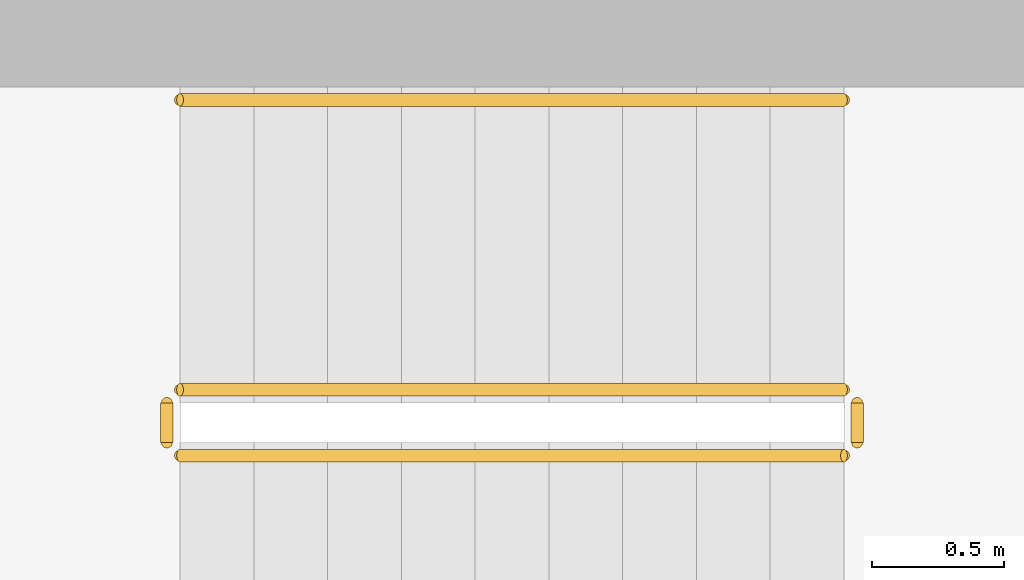
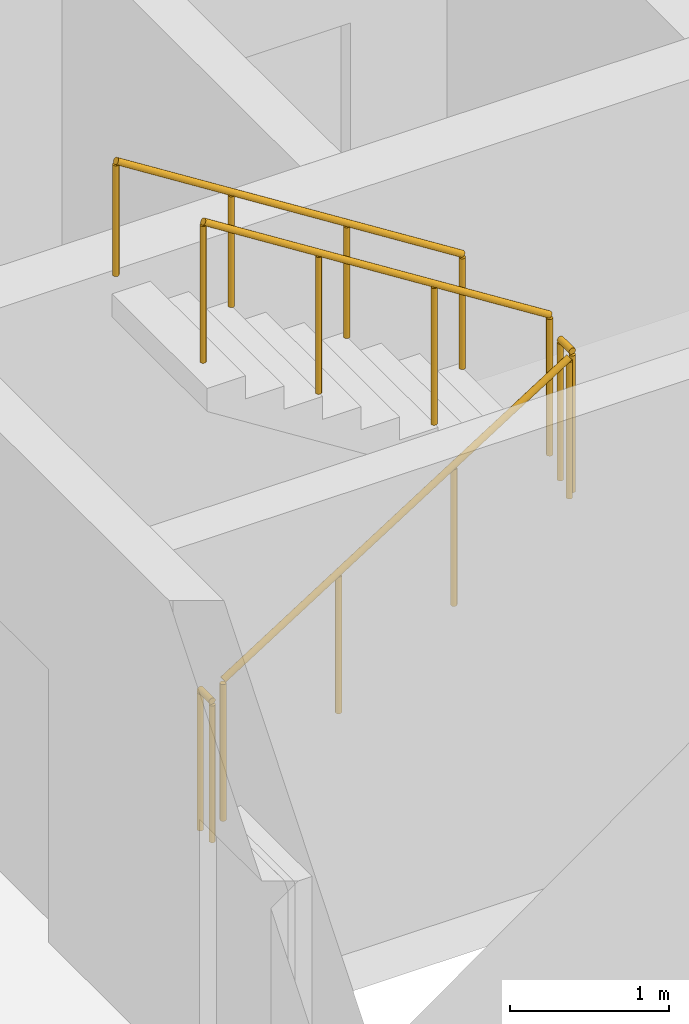
# One storey, part 14 of 16: 5 railings.
"""IFC4 building model written with IfcOpenShell, lengths in metres."""

import ifcopenshell
import ifcopenshell.guid

model = None  # the IFC model being written
_history = None  # IfcOwnerHistory: only IFC2X3 demands one
_inside = {}  # id of a spatial element -> (the spatial element, [elements in it])
_under = {}  # id of a project, library or spatial element -> (it, [spatial elements below it])
_declared = {}  # id of a project -> (the project, [libraries it declares])
_typed = {}  # id of a type object -> (the type object, [elements of that type])
_made_of = {}  # id of a material, layer set ... -> (it, [elements and type objects made of it])


def new_model(schema):
    """Start an empty IFC model of exactly this schema.

    Asked for "IFC4X3", IfcOpenShell would pick the latest addendum, in which some entities
    have other attributes; the version numbers below select the first issue.
    IFC2X3 requires an IfcOwnerHistory on every rooted entity: one is made here for all.
    """
    global model, _history
    if schema == "IFC4X3":
        model = ifcopenshell.file(schema_version=(4, 3, 0, 0))
    else:
        model = ifcopenshell.file(schema=schema)
    _inside.clear()
    _under.clear()
    _declared.clear()
    _typed.clear()
    _made_of.clear()
    _history = None
    if model.schema == "IFC2X3":
        org = make("IfcOrganization", Name="unknown")
        user = make(
            "IfcPersonAndOrganization",
            ThePerson=make("IfcPerson", FamilyName="unknown"),
            TheOrganization=org,
        )
        app = make(
            "IfcApplication",
            ApplicationDeveloper=org,
            Version="unknown",
            ApplicationFullName="unknown",
            ApplicationIdentifier="unknown",
        )
        _history = make(
            "IfcOwnerHistory",
            OwningUser=user,
            OwningApplication=app,
            ChangeAction="ADDED",
            CreationDate=0,
        )
    return model


def make(cls, **values):
    """One entity of the class cls with the attributes given. An attribute that is None is left unset."""
    return model.create_entity(
        cls, **{name: value for name, value in values.items() if value is not None}
    )


def rooted(cls, **values):
    """An entity with a GlobalId (a new one), such as an element, a storey or a relation."""
    return make(cls, GlobalId=ifcopenshell.guid.new(), OwnerHistory=_history, **values)


def si_unit(unit_type, name, prefix=None):
    """IfcSIUnit, for example si_unit("LENGTHUNIT", "METRE", prefix="MILLI")."""
    return make("IfcSIUnit", UnitType=unit_type, Prefix=prefix, Name=name)


def assignment(units):
    """IfcUnitAssignment: the units of a project."""
    return None if units is None else make("IfcUnitAssignment", Units=units)


def point(xyz):
    """IfcCartesianPoint."""
    return None if xyz is None else make("IfcCartesianPoint", Coordinates=xyz)


def direction(xyz):
    """IfcDirection."""
    return None if xyz is None else make("IfcDirection", DirectionRatios=xyz)


def frame(location, z_axis=None, x_axis=None):
    """IfcAxis2Placement3D, a coordinate frame: its origin and axes. An axis left out is left unset."""
    return make(
        "IfcAxis2Placement3D",
        Location=point(location),
        Axis=direction(z_axis),
        RefDirection=direction(x_axis),
    )


def frame_2d(location, x_axis=None):
    """IfcAxis2Placement2D, a coordinate frame in the plane: its origin and x axis."""
    return make(
        "IfcAxis2Placement2D", Location=point(location), RefDirection=direction(x_axis)
    )


def origin():
    """The frame at (0, 0, 0) with its axes left unset."""
    return frame((0.0, 0.0, 0.0))


def origin_2d():
    """The frame at (0, 0) in the plane with its x axis left unset."""
    return frame_2d((0.0, 0.0))


def place(relative_to, where):
    """IfcLocalPlacement: puts the frame where relative to a parent placement (None: the world)."""
    return make(
        "IfcLocalPlacement", PlacementRelTo=relative_to, RelativePlacement=where
    )


def context(
    kind, dimensions, precision=None, world=None, true_north=None, identifier=None
):
    """IfcGeometricRepresentationContext, for example the 3D "Model" context."""
    return make(
        "IfcGeometricRepresentationContext",
        ContextIdentifier=identifier,
        ContextType=kind,
        CoordinateSpaceDimension=dimensions,
        Precision=precision,
        WorldCoordinateSystem=world,
        TrueNorth=true_north,
    )


def subcontext(parent, identifier, kind, view, scale=None):
    """IfcGeometricRepresentationSubContext, for example "Body" below "Model"."""
    return make(
        "IfcGeometricRepresentationSubContext",
        ContextIdentifier=identifier,
        ContextType=kind,
        ParentContext=parent,
        TargetScale=scale,
        TargetView=view,
    )


def project(units=None, contexts=None):
    """IfcProject with its units and contexts."""
    return rooted(
        "IfcProject",
        Name="project",
        RepresentationContexts=contexts,
        UnitsInContext=assignment(units),
    )


def spatial(cls, under=None, at=None, **own):
    """A site, building, storey or space (cls), placed at a placement, below another one or the project."""
    s = rooted(cls, ObjectPlacement=at, **own)
    if under is not None:
        _under.setdefault(under.id(), (under, []))[1].append(s)
    return s


def profile(cls, at=None, kind="AREA", **sizes):
    """A parametric profile (cls). Its sizes go by their IFC names, for example OverallWidth=200.0."""
    return make(cls, ProfileType=kind, Position=at, **sizes)


def circle(**sizes):
    """IfcCircleProfileDef."""
    return profile("IfcCircleProfileDef", **sizes)


def extrude(swept, where, along, depth):
    """IfcExtrudedAreaSolid: the profile swept, set in the frame where, extruded along a direction by depth."""
    return make(
        "IfcExtrudedAreaSolid",
        SweptArea=swept,
        Position=where,
        ExtrudedDirection=direction(along),
        Depth=depth,
    )


def shape(context_of_items, identifier, shape_type, items):
    """IfcShapeRepresentation: the items that make up one representation, for example the "Body"."""
    return make(
        "IfcShapeRepresentation",
        ContextOfItems=context_of_items,
        RepresentationIdentifier=identifier,
        RepresentationType=shape_type,
        Items=items,
    )


def material(Name=None, Category=None):
    """IfcMaterial."""
    return make("IfcMaterial", Name=Name, Category=Category)


def made_of(thing, what):
    """Note that an element or type object is made of a material, layer set ...; save() writes the relation."""
    if what is not None:
        _made_of.setdefault(what.id(), (what, []))[1].append(thing)
    return thing


def type_object(cls, material=None, **own):
    """A type object (cls), such as IfcWallType, which elements share."""
    return made_of(rooted(cls, **own), material)


def element(
    cls,
    number,
    at=None,
    inside=None,
    cuts=None,
    type_object=None,
    material=None,
    context=None,
    identifier="Body",
    shape_type=None,
    held_by="IfcProductDefinitionShape",
    body=None,
    shapes=None,
    **own,
):
    """One element of the class cls, such as IfcWall. Its Tag is "e" and its number.

    at: its placement. inside: the storey or other place that contains it. cuts: it is an
    opening in that element (IfcRelVoidsElement). A single representation is given by context,
    identifier, shape_type and body (its items); several are given by shapes. held_by: the class
    of the entity that holds the representations. save() writes the other relations.
    """
    e = rooted(cls, Tag="e%d" % number, ObjectPlacement=at, **own)
    if body is not None:
        shapes = [shape(context, identifier, shape_type, body)]
    if shapes is not None:
        e.Representation = make(held_by, Representations=shapes)
    if inside is not None:
        _inside.setdefault(inside.id(), (inside, []))[1].append(e)
    if cuts is not None:
        rooted(
            "IfcRelVoidsElement", RelatingBuildingElement=cuts, RelatedOpeningElement=e
        )
    if type_object is not None:
        _typed.setdefault(type_object.id(), (type_object, []))[1].append(e)
    return made_of(e, material)


def aggregate(whole, parts):
    """IfcRelAggregates: a whole, such as a stair, and the parts it consists of."""
    return rooted("IfcRelAggregates", RelatingObject=whole, RelatedObjects=parts)


def save(model, path):
    """Write the relations noted so far, then the file.

    IfcRelAggregates (storeys below a building ...), IfcRelContainedInSpatialStructure (elements
    in a storey), IfcRelDefinesByType, IfcRelAssociatesMaterial and IfcRelDeclares: one each for
    every whole, place, type object, material and project.
    """
    for whole, parts in _under.values():
        aggregate(whole, parts)
    for where, things in _inside.values():
        rooted(
            "IfcRelContainedInSpatialStructure",
            RelatedElements=things,
            RelatingStructure=where,
        )
    for kind, things in _typed.values():
        rooted("IfcRelDefinesByType", RelatedObjects=things, RelatingType=kind)
    for what, things in _made_of.values():
        rooted("IfcRelAssociatesMaterial", RelatedObjects=things, RelatingMaterial=what)
    for by, libraries in _declared.values():
        rooted("IfcRelDeclares", RelatingContext=by, RelatedDefinitions=libraries)
    model.write(path)


model = new_model("IFC4")

# Units and contexts
model_context = context("Model", 3, precision=1e-05, world=origin(), true_north=direction((0.0, 1.0)))
body_context = subcontext(model_context, "Body", "Model", "MODEL_VIEW")
ifc_project = project(units=[si_unit("LENGTHUNIT", "METRE"), si_unit("AREAUNIT", "SQUARE_METRE"), si_unit("VOLUMEUNIT", "CUBIC_METRE"), si_unit("PLANEANGLEUNIT", "RADIAN"), si_unit("MASSUNIT", "GRAM", prefix="KILO")], contexts=[model_context])

# Site, building, storey
site_placement = place(None, origin())
site = spatial("IfcSite", under=ifc_project, at=site_placement, CompositionType="ELEMENT")
building_placement = place(site_placement, origin())
building = spatial("IfcBuilding", under=site, at=building_placement, Name="Ostrand Prow Hotel Tower", CompositionType="ELEMENT")
storey_placement = place(building_placement, frame((0.0, 0.0, 147.949951171875)))
storey = spatial("IfcBuildingStorey", under=building, at=storey_placement, Name="L36", CompositionType="ELEMENT", Elevation=147.949951171875)

# Railings
ifc_material_1 = material(Name="Painted steel", Category="steel")
railing_type_1 = type_object("IfcRailingType", Name="Stair guard 1100", PredefinedType="GUARDRAIL", material=ifc_material_1)
railing_1_placement = place(storey_placement, frame((57.199951171875, -11.75, 0.177490234375)))
element("IfcRailing", 1, at=railing_1_placement, inside=storey, type_object=railing_type_1, Name="L36 ST2C stair guard 1", PredefinedType="GUARDRAIL", context=body_context, shape_type="SweptSolid", body=[
    extrude(circle(Radius=0.02392578125, at=origin_2d()), frame((0.0, 0.0, 1.076171875), z_axis=(0.84456994832, 0.0, 0.535445237532), x_axis=(0.0, 1.0, 0.0)), (0.0, 0.0, 1.0), 2.98388671875),
    extrude(circle(Radius=0.02099609375, at=origin_2d()), origin(), (0.0, 0.0, 1.0), 1.052001953125),
    extrude(circle(Radius=0.02099609375, at=origin_2d()), frame((0.840087890625, 0.0, 0.532470703125)), (0.0, 0.0, 1.0), 1.052001953125),
    extrude(circle(Radius=0.02099609375, at=origin_2d()), frame((1.679931640625, 0.0, 1.065185546875)), (0.0, 0.0, 1.0), 1.052001953125),
    extrude(circle(Radius=0.02099609375, at=origin_2d()), frame((2.52001953125, 0.0, 1.59765625)), (0.0, 0.0, 1.0), 1.052001953125),
])
railing_2_placement = place(storey_placement, frame((59.77001953125, -11.699951171875, 1.775146484375)))
element("IfcRailing", 2, at=railing_2_placement, inside=storey, type_object=railing_type_1, Name="L36 ST2C stair guard 2", PredefinedType="GUARDRAIL", context=body_context, shape_type="SweptSolid", body=[
    extrude(circle(Radius=0.02392578125, at=origin_2d()), frame((0.0, 0.0, 1.076171875), z_axis=(0.0, 1.0, 0.0), x_axis=(-1.0, 0.0, 0.0)), (0.0, 0.0, 1.0), 0.14990234375),
    extrude(circle(Radius=0.02099609375, at=origin_2d()), origin(), (0.0, 0.0, 1.0), 1.052001953125),
    extrude(circle(Radius=0.02099609375, at=origin_2d()), frame((0.0, 0.14990234375, 0.0)), (0.0, 0.0, 1.0), 1.052001953125),
])
railing_3_placement = place(storey_placement, frame((59.719970703125, -11.5, 1.95263671875)))
element("IfcRailing", 3, at=railing_3_placement, inside=storey, type_object=railing_type_1, Name="L36 ST2C stair guard 3", PredefinedType="GUARDRAIL", context=body_context, shape_type="SweptSolid", body=[
    extrude(circle(Radius=0.02392578125, at=origin_2d()), frame((0.0, 0.0, 1.076171875), z_axis=(-0.84460694969, 0.0, 0.535386869969), x_axis=(0.0, -1.0, 0.0)), (0.0, 0.0, 1.0), 2.983642578125),
    extrude(circle(Radius=0.02099609375, at=origin_2d()), origin(), (0.0, 0.0, 1.0), 1.052001953125),
    extrude(circle(Radius=0.02099609375, at=origin_2d()), frame((-0.840087890625, 0.0, 0.532470703125)), (0.0, 0.0, 1.0), 1.052001953125),
    extrude(circle(Radius=0.02099609375, at=origin_2d()), frame((-1.679931640625, 0.0, 1.06494140625)), (0.0, 0.0, 1.0), 1.052001953125),
    extrude(circle(Radius=0.02099609375, at=origin_2d()), frame((-2.52001953125, 0.0, 1.597412109375)), (0.0, 0.0, 1.0), 1.052001953125),
])
railing_4_placement = place(storey_placement, frame((57.14990234375, -11.699951171875, 0.0)))
element("IfcRailing", 4, at=railing_4_placement, inside=storey, type_object=railing_type_1, Name="L36 ST2C stair guard 4", PredefinedType="GUARDRAIL", context=body_context, shape_type="SweptSolid", body=[
    extrude(circle(Radius=0.02392578125, at=origin_2d()), frame((0.0, 0.0, 1.076171875), z_axis=(0.0, 1.0, 0.0), x_axis=(-1.0, 0.0, 0.0)), (0.0, 0.0, 1.0), 0.14990234375),
    extrude(circle(Radius=0.02099609375, at=origin_2d()), origin(), (0.0, 0.0, 1.0), 1.052001953125),
    extrude(circle(Radius=0.02099609375, at=origin_2d()), frame((0.0, 0.14990234375, 0.0)), (0.0, 0.0, 1.0), 1.052001953125),
])
ifc_material_2 = material(Name="Stainless steel", Category="steel")
railing_type_2 = type_object("IfcRailingType", Name="Stair handrail 900", PredefinedType="HANDRAIL", material=ifc_material_2)
railing_5_placement = place(storey_placement, frame((59.719970703125, -10.39990234375, 1.95263671875)))
element("IfcRailing", 5, at=railing_5_placement, inside=storey, type_object=railing_type_2, Name="L36 ST2C stair handrail 2", PredefinedType="HANDRAIL", context=body_context, shape_type="SweptSolid", body=[
    extrude(circle(Radius=0.02392578125, at=origin_2d()), frame((0.0, 0.0, 0.8759765625), z_axis=(-0.84460694969, 0.0, 0.535386869969), x_axis=(0.0, -1.0, 0.0)), (0.0, 0.0, 1.0), 2.983642578125),
    extrude(circle(Radius=0.02099609375, at=origin_2d()), origin(), (0.0, 0.0, 1.0), 0.851806640625),
    extrude(circle(Radius=0.02099609375, at=origin_2d()), frame((-0.840087890625, 0.0, 0.532470703125)), (0.0, 0.0, 1.0), 0.851806640625),
    extrude(circle(Radius=0.02099609375, at=origin_2d()), frame((-1.679931640625, 0.0, 1.06494140625)), (0.0, 0.0, 1.0), 0.851806640625),
    extrude(circle(Radius=0.02099609375, at=origin_2d()), frame((-2.52001953125, 0.0, 1.597412109375)), (0.0, 0.0, 1.0), 0.851806640625),
])

save(model, "model.ifc")
